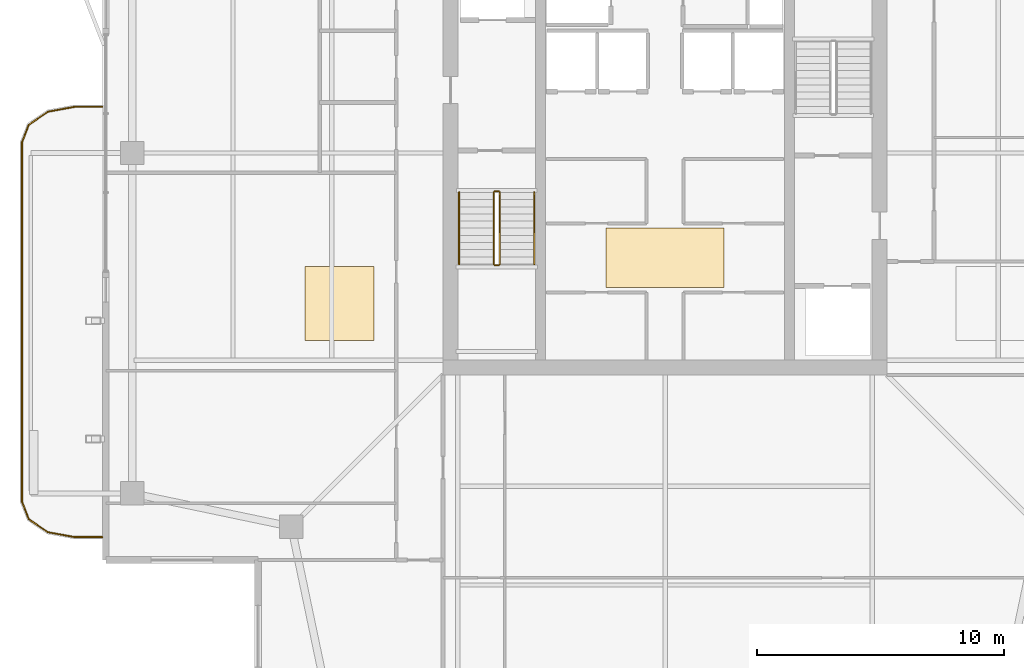
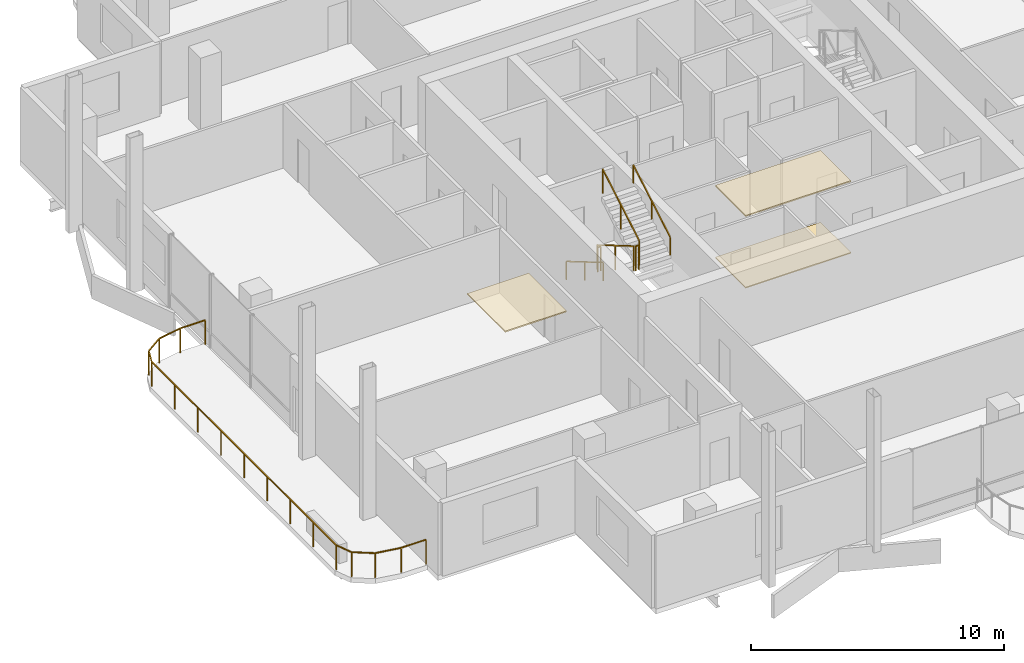
# One storey, part 18 of 20: 7 railings, 3 coverings.
"""IFC4 building model written with IfcOpenShell, lengths in metres."""

from ifc_helpers import new_model, si_unit, direction, frame, origin, origin_2d, place, context, subcontext, project, spatial, polyline, rectangle, outline, extrude, material, layer, layer_set, type_object, element, save


model = new_model("IFC4")

# Units and contexts
model_context = context("Model", 3, precision=1e-05, world=origin(), true_north=direction((0.0, 1.0)))
body_context = subcontext(model_context, "Body", "Model", "MODEL_VIEW")
ifc_project = project(units=[si_unit("LENGTHUNIT", "METRE"), si_unit("AREAUNIT", "SQUARE_METRE"), si_unit("VOLUMEUNIT", "CUBIC_METRE"), si_unit("PLANEANGLEUNIT", "RADIAN"), si_unit("MASSUNIT", "GRAM", prefix="KILO")], contexts=[model_context])

# Site, building, storey
site_placement = place(None, origin())
site = spatial("IfcSite", under=ifc_project, at=site_placement, CompositionType="ELEMENT")
building_placement = place(site_placement, origin())
building = spatial("IfcBuilding", under=site, at=building_placement, Name="Belovzor Exchange Tower", CompositionType="ELEMENT")
storey_placement = place(building_placement, frame((0.0, 0.0, 321.75)))
storey = spatial("IfcBuildingStorey", under=building, at=storey_placement, Name="L80", CompositionType="ELEMENT", Elevation=321.75)

# Railings
ifc_material_1 = material(Name="Stainless Steel Grade 304", Category="steel")
railing_type_1 = type_object("IfcRailingType", Name="Brushed Stainless Steel Stair Handrail 900", PredefinedType="HANDRAIL", material=ifc_material_1)
railing_1_placement = place(storey_placement, frame((20.449951171875, 27.199951171875, 0.17041015625)))
element("IfcRailing", 1, at=railing_1_placement, inside=storey, type_object=railing_type_1, Name="L80 ST-1 stair handrail 1", PredefinedType="HANDRAIL", context=body_context, shape_type="SweptSolid", body=[
    extrude(rectangle(XDim=0.048095703125, YDim=0.048095703125, at=origin_2d()), frame((0.0, 0.0, 0.8759765625), z_axis=(0.0, -0.86209462966, 0.506747323142), x_axis=(1.0, 0.0, 0.0)), (0.0, 0.0, 1.0), 3.36376953125),
    extrude(rectangle(XDim=0.0419921875, YDim=0.0419921875, at=origin_2d()), origin(), (0.0, 0.0, 1.0), 0.851806640625),
    extrude(rectangle(XDim=0.0419921875, YDim=0.0419921875, at=origin_2d()), frame((0.0, -1.449951171875, 0.852294921875)), (0.0, 0.0, 1.0), 0.851806640625),
    extrude(rectangle(XDim=0.0419921875, YDim=0.0419921875, at=origin_2d()), frame((0.0, -2.89990234375, 1.70458984375)), (0.0, 0.0, 1.0), 0.851806640625),
])
railing_2_placement = place(storey_placement, frame((23.5, 24.300048828125, 2.04541015625)))
element("IfcRailing", 2, at=railing_2_placement, inside=storey, type_object=railing_type_1, Name="L80 ST-1 stair handrail 2", PredefinedType="HANDRAIL", context=body_context, shape_type="SweptSolid", body=[
    extrude(rectangle(XDim=0.048095703125, YDim=0.048095703125, at=origin_2d()), frame((0.0, 0.0, 0.8759765625), z_axis=(0.0, 0.86209462966, 0.506747323142), x_axis=(-1.0, 0.0, 0.0)), (0.0, 0.0, 1.0), 3.36376953125),
    extrude(rectangle(XDim=0.0419921875, YDim=0.0419921875, at=origin_2d()), origin(), (0.0, 0.0, 1.0), 0.851806640625),
    extrude(rectangle(XDim=0.0419921875, YDim=0.0419921875, at=origin_2d()), frame((0.0, 1.449951171875, 0.852294921875)), (0.0, 0.0, 1.0), 0.851806640625),
    extrude(rectangle(XDim=0.0419921875, YDim=0.0419921875, at=origin_2d()), frame((0.0, 2.89990234375, 1.70458984375)), (0.0, 0.0, 1.0), 0.851806640625),
])
ifc_material_2 = material(Name="Stainless Steel and Laminated Safety Glass", Category="steel")
railing_type_2 = type_object("IfcRailingType", Name="Laminated Glass & Stainless Steel Balcony Balustrade 1200", PredefinedType="BALUSTRADE", material=ifc_material_2)
railing_3_placement = place(storey_placement, frame((5.989990234375, 30.669921875, 0.0)))
element("IfcRailing", 3, at=railing_3_placement, inside=storey, type_object=railing_type_2, Name="GR-1 Balcony Balustrade L80 West", PredefinedType="BALUSTRADE", context=body_context, shape_type="SweptSolid", body=[
    extrude(rectangle(XDim=0.048095703125, YDim=0.048095703125, at=origin_2d()), frame((0.0, 0.0, 1.17578125), z_axis=(-1.0, 0.0, 0.0), x_axis=(0.0, -1.0, 0.0)), (0.0, 0.0, 1.0), 1.133056640625),
    extrude(rectangle(XDim=0.048095703125, YDim=0.048095703125, at=origin_2d()), frame((-1.133056640625, 0.0, 1.17578125), z_axis=(-0.983644145941, -0.180122719713, 0.0), x_axis=(0.180122719713, -0.983644145941, 0.0)), (0.0, 0.0, 1.0), 1.09375),
    extrude(rectangle(XDim=0.048095703125, YDim=0.048095703125, at=origin_2d()), frame((-2.208984375, -0.197021484375, 1.17578125), z_axis=(-0.826614792125, -0.562768145367, 0.0), x_axis=(0.562768145367, -0.826614792125, 0.0)), (0.0, 0.0, 1.0), 0.9326171875),
    extrude(rectangle(XDim=0.048095703125, YDim=0.048095703125, at=origin_2d()), frame((-2.97998046875, -0.721923828125, 1.17578125), z_axis=(-0.365612923861, -0.930766990125, 0.0), x_axis=(0.930766990125, -0.365612923861, 0.0)), (0.0, 0.0, 1.0), 0.765869140625),
    extrude(rectangle(XDim=0.048095703125, YDim=0.048095703125, at=origin_2d()), frame((-3.260009765625, -1.434814453125, 1.17578125), z_axis=(0.0, -1.0, 0.0), x_axis=(1.0, 0.0, 0.0)), (0.0, 0.0, 1.0), 14.570068359375),
    extrude(rectangle(XDim=0.048095703125, YDim=0.048095703125, at=origin_2d()), frame((-3.260009765625, -16.0048828125, 1.17578125), z_axis=(0.365504480807, -0.930809580156, 0.0), x_axis=(0.930809580156, 0.365504480807, 0.0)), (0.0, 0.0, 1.0), 0.76611328125),
    extrude(rectangle(XDim=0.048095703125, YDim=0.048095703125, at=origin_2d()), frame((-2.97998046875, -16.718017578125, 1.17578125), z_axis=(0.826614792125, -0.562768145367, 0.0), x_axis=(0.562768145367, 0.826614792125, 0.0)), (0.0, 0.0, 1.0), 0.9326171875),
    extrude(rectangle(XDim=0.048095703125, YDim=0.048095703125, at=origin_2d()), frame((-2.208984375, -17.242919921875, 1.17578125), z_axis=(0.983644145941, -0.180122719713, 0.0), x_axis=(0.180122719713, 0.983644145941, 0.0)), (0.0, 0.0, 1.0), 1.09375),
    extrude(rectangle(XDim=0.048095703125, YDim=0.048095703125, at=origin_2d()), frame((-1.133056640625, -17.43994140625, 1.17578125), z_axis=(1.0, 0.0, 0.0), x_axis=(0.0, 1.0, 0.0)), (0.0, 0.0, 1.0), 1.133056640625),
    extrude(rectangle(XDim=0.0419921875, YDim=0.0419921875, at=origin_2d()), origin(), (0.0, 0.0, 1.0), 1.15185546875),
    extrude(rectangle(XDim=0.0419921875, YDim=0.0419921875, at=origin_2d()), frame((-1.133056640625, 0.0, 0.0)), (0.0, 0.0, 1.0), 1.15185546875),
    extrude(rectangle(XDim=0.0419921875, YDim=0.0419921875, at=origin_2d()), frame((-2.208984375, -0.197021484375, 0.0)), (0.0, 0.0, 1.0), 1.15185546875),
    extrude(rectangle(XDim=0.0419921875, YDim=0.0419921875, at=origin_2d()), frame((-2.97998046875, -0.721923828125, 0.0)), (0.0, 0.0, 1.0), 1.15185546875),
    extrude(rectangle(XDim=0.0419921875, YDim=0.0419921875, at=origin_2d()), frame((-3.260009765625, -1.434814453125, 0.0)), (0.0, 0.0, 1.0), 1.15185546875),
    extrude(rectangle(XDim=0.0419921875, YDim=0.0419921875, at=origin_2d()), frame((-3.260009765625, -3.256103515625, 0.0)), (0.0, 0.0, 1.0), 1.15185546875),
    extrude(rectangle(XDim=0.0419921875, YDim=0.0419921875, at=origin_2d()), frame((-3.260009765625, -5.077392578125, 0.0)), (0.0, 0.0, 1.0), 1.15185546875),
    extrude(rectangle(XDim=0.0419921875, YDim=0.0419921875, at=origin_2d()), frame((-3.260009765625, -6.898681640625, 0.0)), (0.0, 0.0, 1.0), 1.15185546875),
    extrude(rectangle(XDim=0.0419921875, YDim=0.0419921875, at=origin_2d()), frame((-3.260009765625, -8.7197265625, 0.0)), (0.0, 0.0, 1.0), 1.15185546875),
    extrude(rectangle(XDim=0.0419921875, YDim=0.0419921875, at=origin_2d()), frame((-3.260009765625, -10.541015625, 0.0)), (0.0, 0.0, 1.0), 1.15185546875),
    extrude(rectangle(XDim=0.0419921875, YDim=0.0419921875, at=origin_2d()), frame((-3.260009765625, -12.3623046875, 0.0)), (0.0, 0.0, 1.0), 1.15185546875),
    extrude(rectangle(XDim=0.0419921875, YDim=0.0419921875, at=origin_2d()), frame((-3.260009765625, -14.18359375, 0.0)), (0.0, 0.0, 1.0), 1.15185546875),
    extrude(rectangle(XDim=0.0419921875, YDim=0.0419921875, at=origin_2d()), frame((-3.260009765625, -16.0048828125, 0.0)), (0.0, 0.0, 1.0), 1.15185546875),
    extrude(rectangle(XDim=0.0419921875, YDim=0.0419921875, at=origin_2d()), frame((-2.97998046875, -16.718017578125, 0.0)), (0.0, 0.0, 1.0), 1.15185546875),
    extrude(rectangle(XDim=0.0419921875, YDim=0.0419921875, at=origin_2d()), frame((-2.208984375, -17.242919921875, 0.0)), (0.0, 0.0, 1.0), 1.15185546875),
    extrude(rectangle(XDim=0.0419921875, YDim=0.0419921875, at=origin_2d()), frame((-1.133056640625, -17.43994140625, 0.0)), (0.0, 0.0, 1.0), 1.15185546875),
    extrude(rectangle(XDim=0.0419921875, YDim=0.0419921875, at=origin_2d()), frame((0.0, -17.43994140625, 0.0)), (0.0, 0.0, 1.0), 1.15185546875),
])
ifc_material_3 = material(Name="Steel S355", Category="steel")
railing_type_3 = type_object("IfcRailingType", Name="Painted Steel Stairwell Guardrail 1200", PredefinedType="GUARDRAIL", material=ifc_material_3)
railing_4_placement = place(storey_placement, frame((21.85009765625, 27.199951171875, 0.17041015625)))
element("IfcRailing", 4, at=railing_4_placement, inside=storey, type_object=railing_type_3, Name="L80 ST-1 stair guard 1", PredefinedType="GUARDRAIL", context=body_context, shape_type="SweptSolid", body=[
    extrude(rectangle(XDim=0.048095703125, YDim=0.048095703125, at=origin_2d()), frame((0.0, 0.0, 1.17578125), z_axis=(0.0, -0.86209462966, 0.506747323142), x_axis=(1.0, 0.0, 0.0)), (0.0, 0.0, 1.0), 3.36376953125),
    extrude(rectangle(XDim=0.0419921875, YDim=0.0419921875, at=origin_2d()), origin(), (0.0, 0.0, 1.0), 1.15185546875),
    extrude(rectangle(XDim=0.0419921875, YDim=0.0419921875, at=origin_2d()), frame((0.0, -1.449951171875, 0.852294921875)), (0.0, 0.0, 1.0), 1.15185546875),
    extrude(rectangle(XDim=0.0419921875, YDim=0.0419921875, at=origin_2d()), frame((0.0, -2.89990234375, 1.70458984375)), (0.0, 0.0, 1.0), 1.15185546875),
])
railing_5_placement = place(storey_placement, frame((21.89990234375, 24.25, 1.875)))
element("IfcRailing", 5, at=railing_5_placement, inside=storey, type_object=railing_type_3, Name="L80 ST-1 stair guard 2", PredefinedType="GUARDRAIL", context=body_context, shape_type="SweptSolid", body=[
    extrude(rectangle(XDim=0.048095703125, YDim=0.048095703125, at=origin_2d()), frame((0.0, 0.0, 1.17578125), z_axis=(1.0, 0.0, 0.0), x_axis=(0.0, 1.0, 0.0)), (0.0, 0.0, 1.0), 0.150146484375),
    extrude(rectangle(XDim=0.0419921875, YDim=0.0419921875, at=origin_2d()), origin(), (0.0, 0.0, 1.0), 1.15185546875),
    extrude(rectangle(XDim=0.0419921875, YDim=0.0419921875, at=origin_2d()), frame((0.150146484375, 0.0, 0.0)), (0.0, 0.0, 1.0), 1.15185546875),
])
railing_6_placement = place(storey_placement, frame((22.10009765625, 24.300048828125, 2.04541015625)))
element("IfcRailing", 6, at=railing_6_placement, inside=storey, type_object=railing_type_3, Name="L80 ST-1 stair guard 3", PredefinedType="GUARDRAIL", context=body_context, shape_type="SweptSolid", body=[
    extrude(rectangle(XDim=0.048095703125, YDim=0.048095703125, at=origin_2d()), frame((0.0, 0.0, 1.17578125), z_axis=(0.0, 0.86209462966, 0.506747323142), x_axis=(-1.0, 0.0, 0.0)), (0.0, 0.0, 1.0), 3.36376953125),
    extrude(rectangle(XDim=0.0419921875, YDim=0.0419921875, at=origin_2d()), origin(), (0.0, 0.0, 1.0), 1.15185546875),
    extrude(rectangle(XDim=0.0419921875, YDim=0.0419921875, at=origin_2d()), frame((0.0, 1.449951171875, 0.852294921875)), (0.0, 0.0, 1.0), 1.15185546875),
    extrude(rectangle(XDim=0.0419921875, YDim=0.0419921875, at=origin_2d()), frame((0.0, 2.89990234375, 1.70458984375)), (0.0, 0.0, 1.0), 1.15185546875),
])
railing_7_placement = place(storey_placement, frame((21.89990234375, 27.25, 0.0)))
element("IfcRailing", 7, at=railing_7_placement, inside=storey, type_object=railing_type_3, Name="L80 ST-1 stair guard 4", PredefinedType="GUARDRAIL", context=body_context, shape_type="SweptSolid", body=[
    extrude(rectangle(XDim=0.048095703125, YDim=0.048095703125, at=origin_2d()), frame((0.0, 0.0, 1.17578125), z_axis=(1.0, 0.0, 0.0), x_axis=(0.0, 1.0, 0.0)), (0.0, 0.0, 1.0), 0.150146484375),
    extrude(rectangle(XDim=0.0419921875, YDim=0.0419921875, at=origin_2d()), origin(), (0.0, 0.0, 1.0), 1.15185546875),
    extrude(rectangle(XDim=0.0419921875, YDim=0.0419921875, at=origin_2d()), frame((0.150146484375, 0.0, 0.0)), (0.0, 0.0, 1.0), 1.15185546875),
])

# Coverings
ifc_material_4 = material(Name="Perforated Powder-Coated Aluminium", Category="aluminium")
ifc_layer_1 = layer(ifc_material_4, 0.06005859375)
ifc_layer_set_1 = layer_set([ifc_layer_1], Name="Perforated Powder-Coated Aluminium")
covering_type_1 = type_object("IfcCoveringType", Name="Perforated Acoustic Metal Tile Suspended Ceiling 60", PredefinedType="CEILING", material=ifc_layer_set_1)
covering_1_placement = place(storey_placement, frame((0.0, 0.0, 3.449951171875)))
element("IfcCovering", 8, at=covering_1_placement, inside=storey, type_object=covering_type_1, Name="CLG-AC60 Suspended Ceiling CLG-L80-LOB", PredefinedType="CEILING", context=body_context, shape_type="SweptSolid", body=[
    extrude(outline(polyline([(26.39990234375, 23.35009765625), (31.199951171875, 23.35009765625), (31.199951171875, 25.75), (26.39990234375, 25.75), (26.39990234375, 23.35009765625)])), origin(), (0.0, 0.0, 1.0), 0.06005859375),
])
covering_2_placement = place(storey_placement, frame((0.0, 0.0, 3.449951171875)))
element("IfcCovering", 9, at=covering_2_placement, inside=storey, type_object=covering_type_1, Name="CLG-AC60 Suspended Ceiling CLG-L80-Z3", PredefinedType="CEILING", context=body_context, shape_type="SweptSolid", body=[
    extrude(outline(polyline([(14.199951171875, 21.199951171875), (17.0, 21.199951171875), (17.0, 24.199951171875), (14.199951171875, 24.199951171875), (14.199951171875, 21.199951171875)])), origin(), (0.0, 0.0, 1.0), 0.06005859375),
])
ifc_material_5 = material(Name="Polished Natural Granite Tile", Category="masonry")
ifc_layer_2 = layer(ifc_material_5, 0.050048828125)
ifc_layer_set_2 = layer_set([ifc_layer_2], Name="Polished Natural Granite Tile")
covering_type_2 = type_object("IfcCoveringType", Name="Polished Karelian Granite & Raised Access Floor Finish 50", PredefinedType="FLOORING", material=ifc_layer_set_2)
covering_3_placement = place(storey_placement, origin())
element("IfcCovering", 10, at=covering_3_placement, inside=storey, type_object=covering_type_2, Name="FLR-GR50 Floor Finish FLR-L80-LOB", PredefinedType="FLOORING", context=body_context, shape_type="SweptSolid", body=[
    extrude(outline(polyline([(26.39990234375, 23.35009765625), (31.199951171875, 23.35009765625), (31.199951171875, 25.75), (26.39990234375, 25.75), (26.39990234375, 23.35009765625)])), origin(), (0.0, 0.0, 1.0), 0.050048828125),
])

save(model, "model.ifc")
